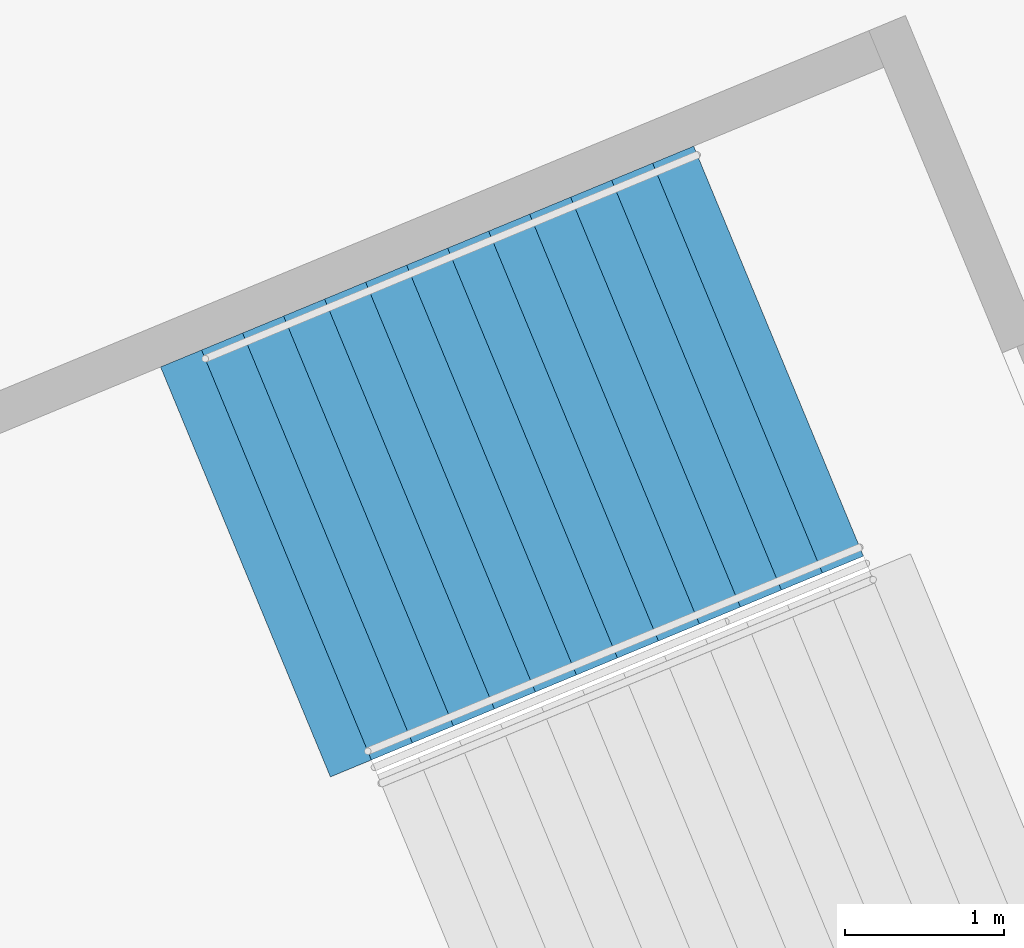
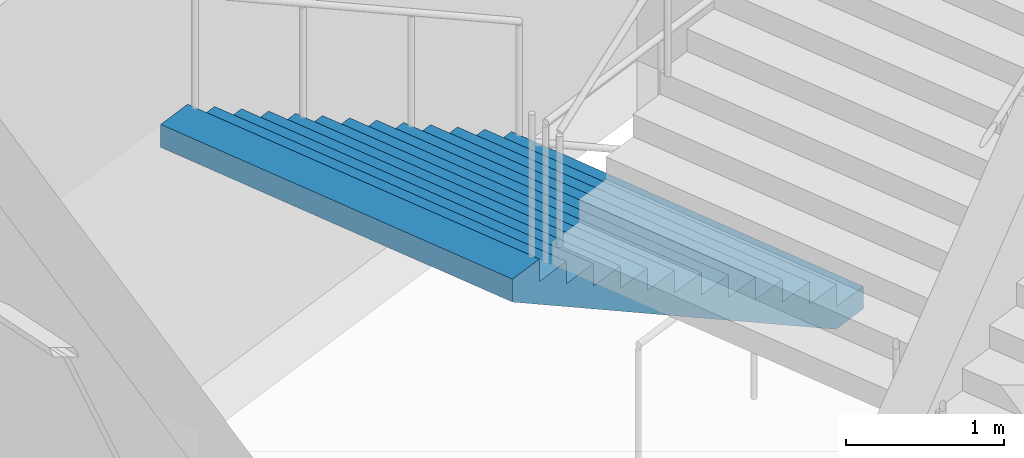
# One storey, part 110 of 199: 1 stair flight, 1 element without a shape of its own.
"""IFC4 building model written with IfcOpenShell, lengths in metres."""

from ifc_helpers import new_model, si_unit, direction, frame, origin, place, context, subcontext, project, spatial, faceted_brep, material, type_object, element, aggregate, save


model = new_model("IFC4")

# Units and contexts
model_context = context("Model", 3, precision=1e-05, world=origin(), true_north=direction((0.0, 1.0)))
body_context = subcontext(model_context, "Body", "Model", "MODEL_VIEW")
ifc_project = project(units=[si_unit("LENGTHUNIT", "METRE"), si_unit("AREAUNIT", "SQUARE_METRE"), si_unit("VOLUMEUNIT", "CUBIC_METRE"), si_unit("PLANEANGLEUNIT", "RADIAN"), si_unit("MASSUNIT", "GRAM", prefix="KILO")], contexts=[model_context])

# Site, building, storey
site_placement = place(None, origin())
site = spatial("IfcSite", under=ifc_project, at=site_placement, CompositionType="ELEMENT")
building_placement = place(site_placement, origin())
building = spatial("IfcBuilding", under=site, at=building_placement, Name="Ogive Plaza Stadium", CompositionType="ELEMENT")
storey_placement = place(building_placement, frame((0.0, 0.0, 9.0)))
storey = spatial("IfcBuildingStorey", under=building, at=storey_placement, Name="L02", CompositionType="ELEMENT", Elevation=9.0)

# Stair, stair flight
ifc_material_1 = material(Name="Concrete C40/50", Category="concrete")
stair_type = type_object("IfcStairType", Name="Exit stair", PredefinedType="STRAIGHT_RUN_STAIR", material=ifc_material_1)
stair_placement = place(storey_placement, origin())
stair = element("IfcStair", 1, at=stair_placement, inside=storey, type_object=stair_type, Name="Exit stair ST20A L02 to L03", PredefinedType="STRAIGHT_RUN_STAIR")
ifc_material_2 = material(Name="Concrete C40/50", Category="concrete")
stair_flight_type = type_object("IfcStairFlightType", Name="Exit stair flight", PredefinedType="STRAIGHT", material=ifc_material_2)
stair_flight_placement = place(storey_placement, frame((-74.819580078125, -64.618408203125, 0.0), z_axis=(0.0, 0.0, 1.0), x_axis=(-0.923879532511, -0.382683432365, 0.0)))
stair_flight = element("IfcStairFlight", 2, at=stair_flight_placement, type_object=stair_flight_type, Name="ST20A flight 1", NumberOfRisers=13, NumberOfTreads=12, PredefinedType="STRAIGHT", RiserHeight=0.173076923, TreadLength=0.28, context=body_context, shape_type="Brep", body=[
    faceted_brep([(0.28515625, -1.39990234375, 0.0), (3.639892578125, -1.39990234375, 2.07373046875), (3.639892578125, -1.39990234375, 2.25), (3.360107421875, -1.39990234375, 2.25), (3.360107421875, -1.39990234375, 2.076904296875), (3.080078125, -1.39990234375, 2.076904296875), (3.080078125, -1.39990234375, 1.90380859375), (2.800048828125, -1.39990234375, 1.90380859375), (2.800048828125, -1.39990234375, 1.730712890625), (2.52001953125, -1.39990234375, 1.730712890625), (2.52001953125, -1.39990234375, 1.5576171875), (2.239990234375, -1.39990234375, 1.5576171875), (2.239990234375, -1.39990234375, 1.384521484375), (1.9599609375, -1.39990234375, 1.384521484375), (1.9599609375, -1.39990234375, 1.21142578125), (1.679931640625, -1.39990234375, 1.21142578125), (1.679931640625, -1.39990234375, 1.03857421875), (1.39990234375, -1.39990234375, 1.03857421875), (1.39990234375, -1.39990234375, 0.865478515625), (1.1201171875, -1.39990234375, 0.865478515625), (1.1201171875, -1.39990234375, 0.6923828125), (0.840087890625, -1.39990234375, 0.6923828125), (0.840087890625, -1.39990234375, 0.519287109375), (0.56005859375, -1.39990234375, 0.519287109375), (0.56005859375, -1.39990234375, 0.34619140625), (0.280029296875, -1.39990234375, 0.34619140625), (0.280029296875, -1.39990234375, 0.173095703125), (0.0, -1.39990234375, 0.173095703125), (0.0, -1.39990234375, 0.0), (0.0, 1.39990234375, 0.0), (0.0, 1.39990234375, 0.173095703125), (0.280029296875, 1.39990234375, 0.173095703125), (0.280029296875, 1.39990234375, 0.34619140625), (0.56005859375, 1.39990234375, 0.34619140625), (0.56005859375, 1.39990234375, 0.519287109375), (0.840087890625, 1.39990234375, 0.519287109375), (0.840087890625, 1.39990234375, 0.6923828125), (1.1201171875, 1.39990234375, 0.6923828125), (1.1201171875, 1.39990234375, 0.865478515625), (1.39990234375, 1.39990234375, 0.865478515625), (1.39990234375, 1.39990234375, 1.03857421875), (1.679931640625, 1.39990234375, 1.03857421875), (1.679931640625, 1.39990234375, 1.21142578125), (1.9599609375, 1.39990234375, 1.21142578125), (1.9599609375, 1.39990234375, 1.384521484375), (2.239990234375, 1.39990234375, 1.384521484375), (2.239990234375, 1.39990234375, 1.5576171875), (2.52001953125, 1.39990234375, 1.5576171875), (2.52001953125, 1.39990234375, 1.730712890625), (2.800048828125, 1.39990234375, 1.730712890625), (2.800048828125, 1.39990234375, 1.90380859375), (3.080078125, 1.39990234375, 1.90380859375), (3.080078125, 1.39990234375, 2.076904296875), (3.360107421875, 1.39990234375, 2.076904296875), (3.360107421875, 1.39990234375, 2.25), (3.639892578125, 1.39990234375, 2.25), (3.639892578125, 1.39990234375, 2.07373046875), (0.28515625, 1.39990234375, 0.0), (0.28515625, -1.0888671875, 0.0), (3.639892578125, -1.0888671875, 2.07373046875), (0.28515625, -0.77783203125, 0.0), (3.639892578125, -0.77783203125, 2.07373046875), (0.28515625, -0.466796875, 0.0), (3.639892578125, -0.466796875, 2.07373046875), (0.28515625, -0.155517578125, 0.0), (3.639892578125, -0.155517578125, 2.07373046875), (0.28515625, 0.155517578125, 0.0), (3.639892578125, 0.155517578125, 2.07373046875), (0.28515625, 0.466796875, 0.0), (3.639892578125, 0.466796875, 2.07373046875), (0.28515625, 0.77783203125, 0.0), (3.639892578125, 0.77783203125, 2.07373046875), (0.28515625, 1.0888671875, 0.0), (3.639892578125, 1.0888671875, 2.07373046875), (3.639892578125, -1.0888671875, 2.25), (3.639892578125, -0.77783203125, 2.25), (3.639892578125, -0.466796875, 2.25), (3.639892578125, -0.155517578125, 2.25), (3.639892578125, 0.155517578125, 2.25), (3.639892578125, 0.466796875, 2.25), (3.639892578125, 0.77783203125, 2.25), (3.639892578125, 1.0888671875, 2.25), (3.360107421875, -1.0888671875, 2.25), (3.360107421875, -0.77783203125, 2.25), (3.360107421875, -0.466796875, 2.25), (3.360107421875, -0.155517578125, 2.25), (3.360107421875, 0.155517578125, 2.25), (3.360107421875, 0.466796875, 2.25), (3.360107421875, 0.77783203125, 2.25), (3.360107421875, 1.0888671875, 2.25), (3.360107421875, -1.0888671875, 2.076904296875), (3.360107421875, -0.77783203125, 2.076904296875), (3.360107421875, -0.466796875, 2.076904296875), (3.360107421875, -0.155517578125, 2.076904296875), (3.360107421875, 0.155517578125, 2.076904296875), (3.360107421875, 0.466796875, 2.076904296875), (3.360107421875, 0.77783203125, 2.076904296875), (3.360107421875, 1.0888671875, 2.076904296875), (3.080078125, -1.0888671875, 2.076904296875), (3.080078125, -0.77783203125, 2.076904296875), (3.080078125, -0.466796875, 2.076904296875), (3.080078125, -0.155517578125, 2.076904296875), (3.080078125, 0.155517578125, 2.076904296875), (3.080078125, 0.466796875, 2.076904296875), (3.080078125, 0.77783203125, 2.076904296875), (3.080078125, 1.0888671875, 2.076904296875), (3.080078125, -1.0888671875, 1.90380859375), (3.080078125, -0.77783203125, 1.90380859375), (3.080078125, -0.466796875, 1.90380859375), (3.080078125, -0.155517578125, 1.90380859375), (3.080078125, 0.155517578125, 1.90380859375), (3.080078125, 0.466796875, 1.90380859375), (3.080078125, 0.77783203125, 1.90380859375), (3.080078125, 1.0888671875, 1.90380859375), (2.800048828125, -1.0888671875, 1.90380859375), (2.800048828125, -0.77783203125, 1.90380859375), (2.800048828125, -0.466796875, 1.90380859375), (2.800048828125, -0.155517578125, 1.90380859375), (2.800048828125, 0.155517578125, 1.90380859375), (2.800048828125, 0.466796875, 1.90380859375), (2.800048828125, 0.77783203125, 1.90380859375), (2.800048828125, 1.0888671875, 1.90380859375), (2.800048828125, -1.0888671875, 1.730712890625), (2.800048828125, -0.77783203125, 1.730712890625), (2.800048828125, -0.466796875, 1.730712890625), (2.800048828125, -0.155517578125, 1.730712890625), (2.800048828125, 0.155517578125, 1.730712890625), (2.800048828125, 0.466796875, 1.730712890625), (2.800048828125, 0.77783203125, 1.730712890625), (2.800048828125, 1.0888671875, 1.730712890625), (2.52001953125, -1.0888671875, 1.730712890625), (2.52001953125, -0.77783203125, 1.730712890625), (2.52001953125, -0.466796875, 1.730712890625), (2.52001953125, -0.155517578125, 1.730712890625), (2.52001953125, 0.155517578125, 1.730712890625), (2.52001953125, 0.466796875, 1.730712890625), (2.52001953125, 0.77783203125, 1.730712890625), (2.52001953125, 1.0888671875, 1.730712890625), (2.52001953125, -1.0888671875, 1.5576171875), (2.52001953125, -0.77783203125, 1.5576171875), (2.52001953125, -0.466796875, 1.5576171875), (2.52001953125, -0.155517578125, 1.5576171875), (2.52001953125, 0.155517578125, 1.5576171875), (2.52001953125, 0.466796875, 1.5576171875), (2.52001953125, 0.77783203125, 1.5576171875), (2.52001953125, 1.0888671875, 1.5576171875), (2.239990234375, -1.0888671875, 1.5576171875), (2.239990234375, -0.77783203125, 1.5576171875), (2.239990234375, -0.466796875, 1.5576171875), (2.239990234375, -0.155517578125, 1.5576171875), (2.239990234375, 0.155517578125, 1.5576171875), (2.239990234375, 0.466796875, 1.5576171875), (2.239990234375, 0.77783203125, 1.5576171875), (2.239990234375, 1.0888671875, 1.5576171875), (2.239990234375, -1.0888671875, 1.384521484375), (2.239990234375, -0.77783203125, 1.384521484375), (2.239990234375, -0.466796875, 1.384521484375), (2.239990234375, -0.155517578125, 1.384521484375), (2.239990234375, 0.155517578125, 1.384521484375), (2.239990234375, 0.466796875, 1.384521484375), (2.239990234375, 0.77783203125, 1.384521484375), (2.239990234375, 1.0888671875, 1.384521484375), (1.9599609375, -1.0888671875, 1.384521484375), (1.9599609375, -0.77783203125, 1.384521484375), (1.9599609375, -0.466796875, 1.384521484375), (1.9599609375, -0.155517578125, 1.384521484375), (1.9599609375, 0.155517578125, 1.384521484375), (1.9599609375, 0.466796875, 1.384521484375), (1.9599609375, 0.77783203125, 1.384521484375), (1.9599609375, 1.0888671875, 1.384521484375), (1.9599609375, -1.0888671875, 1.21142578125), (1.9599609375, -0.77783203125, 1.21142578125), (1.9599609375, -0.466796875, 1.21142578125), (1.9599609375, -0.155517578125, 1.21142578125), (1.9599609375, 0.155517578125, 1.21142578125), (1.9599609375, 0.466796875, 1.21142578125), (1.9599609375, 0.77783203125, 1.21142578125), (1.9599609375, 1.0888671875, 1.21142578125), (1.679931640625, -1.0888671875, 1.21142578125), (1.679931640625, -0.77783203125, 1.21142578125), (1.679931640625, -0.466796875, 1.21142578125), (1.679931640625, -0.155517578125, 1.21142578125), (1.679931640625, 0.155517578125, 1.21142578125), (1.679931640625, 0.466796875, 1.21142578125), (1.679931640625, 0.77783203125, 1.21142578125), (1.679931640625, 1.0888671875, 1.21142578125), (1.679931640625, -1.0888671875, 1.03857421875), (1.679931640625, -0.77783203125, 1.03857421875), (1.679931640625, -0.466796875, 1.03857421875), (1.679931640625, -0.155517578125, 1.03857421875), (1.679931640625, 0.155517578125, 1.03857421875), (1.679931640625, 0.466796875, 1.03857421875), (1.679931640625, 0.77783203125, 1.03857421875), (1.679931640625, 1.0888671875, 1.03857421875), (1.39990234375, -1.0888671875, 1.03857421875), (1.39990234375, -0.77783203125, 1.03857421875), (1.39990234375, -0.466796875, 1.03857421875), (1.39990234375, -0.155517578125, 1.03857421875), (1.39990234375, 0.155517578125, 1.03857421875), (1.39990234375, 0.466796875, 1.03857421875), (1.39990234375, 0.77783203125, 1.03857421875), (1.39990234375, 1.0888671875, 1.03857421875), (1.39990234375, -1.0888671875, 0.865478515625), (1.39990234375, -0.77783203125, 0.865478515625), (1.39990234375, -0.466796875, 0.865478515625), (1.39990234375, -0.155517578125, 0.865478515625), (1.39990234375, 0.155517578125, 0.865478515625), (1.39990234375, 0.466796875, 0.865478515625), (1.39990234375, 0.77783203125, 0.865478515625), (1.39990234375, 1.0888671875, 0.865478515625), (1.1201171875, -1.0888671875, 0.865478515625), (1.1201171875, -0.77783203125, 0.865478515625), (1.1201171875, -0.466796875, 0.865478515625), (1.1201171875, -0.155517578125, 0.865478515625), (1.1201171875, 0.155517578125, 0.865478515625), (1.1201171875, 0.466796875, 0.865478515625), (1.1201171875, 0.77783203125, 0.865478515625), (1.1201171875, 1.0888671875, 0.865478515625), (1.1201171875, -1.0888671875, 0.6923828125), (1.1201171875, -0.77783203125, 0.6923828125), (1.1201171875, -0.466796875, 0.6923828125), (1.1201171875, -0.155517578125, 0.6923828125), (1.1201171875, 0.155517578125, 0.6923828125), (1.1201171875, 0.466796875, 0.6923828125), (1.1201171875, 0.77783203125, 0.6923828125), (1.1201171875, 1.0888671875, 0.6923828125), (0.840087890625, -1.0888671875, 0.6923828125), (0.840087890625, -0.77783203125, 0.6923828125), (0.840087890625, -0.466796875, 0.6923828125), (0.840087890625, -0.155517578125, 0.6923828125), (0.840087890625, 0.155517578125, 0.6923828125), (0.840087890625, 0.466796875, 0.6923828125), (0.840087890625, 0.77783203125, 0.6923828125), (0.840087890625, 1.0888671875, 0.6923828125), (0.840087890625, -1.0888671875, 0.519287109375), (0.840087890625, -0.77783203125, 0.519287109375), (0.840087890625, -0.466796875, 0.519287109375), (0.840087890625, -0.155517578125, 0.519287109375), (0.840087890625, 0.155517578125, 0.519287109375), (0.840087890625, 0.466796875, 0.519287109375), (0.840087890625, 0.77783203125, 0.519287109375), (0.840087890625, 1.0888671875, 0.519287109375), (0.56005859375, -1.0888671875, 0.519287109375), (0.56005859375, -0.77783203125, 0.519287109375), (0.56005859375, -0.466796875, 0.519287109375), (0.56005859375, -0.155517578125, 0.519287109375), (0.56005859375, 0.155517578125, 0.519287109375), (0.56005859375, 0.466796875, 0.519287109375), (0.56005859375, 0.77783203125, 0.519287109375), (0.56005859375, 1.0888671875, 0.519287109375), (0.56005859375, -1.0888671875, 0.34619140625), (0.56005859375, -0.77783203125, 0.34619140625), (0.56005859375, -0.466796875, 0.34619140625), (0.56005859375, -0.155517578125, 0.34619140625), (0.56005859375, 0.155517578125, 0.34619140625), (0.56005859375, 0.466796875, 0.34619140625), (0.56005859375, 0.77783203125, 0.34619140625), (0.56005859375, 1.0888671875, 0.34619140625), (0.280029296875, -1.0888671875, 0.34619140625), (0.280029296875, -0.77783203125, 0.34619140625), (0.280029296875, -0.466796875, 0.34619140625), (0.280029296875, -0.155517578125, 0.34619140625), (0.280029296875, 0.155517578125, 0.34619140625), (0.280029296875, 0.466796875, 0.34619140625), (0.280029296875, 0.77783203125, 0.34619140625), (0.280029296875, 1.0888671875, 0.34619140625), (0.280029296875, -1.0888671875, 0.173095703125), (0.280029296875, -0.77783203125, 0.173095703125), (0.280029296875, -0.466796875, 0.173095703125), (0.280029296875, -0.155517578125, 0.173095703125), (0.280029296875, 0.155517578125, 0.173095703125), (0.280029296875, 0.466796875, 0.173095703125), (0.280029296875, 0.77783203125, 0.173095703125), (0.280029296875, 1.0888671875, 0.173095703125), (0.0, -1.0888671875, 0.173095703125), (0.0, -0.77783203125, 0.173095703125), (0.0, -0.466796875, 0.173095703125), (0.0, -0.155517578125, 0.173095703125), (0.0, 0.155517578125, 0.173095703125), (0.0, 0.466796875, 0.173095703125), (0.0, 0.77783203125, 0.173095703125), (0.0, 1.0888671875, 0.173095703125), (0.0, -1.0888671875, 0.0), (0.0, -0.77783203125, 0.0), (0.0, -0.466796875, 0.0), (0.0, -0.155517578125, 0.0), (0.0, 0.155517578125, 0.0), (0.0, 0.466796875, 0.0), (0.0, 0.77783203125, 0.0), (0.0, 1.0888671875, 0.0)], [[[0, 1, 2, 3, 4, 5, 6, 7, 8, 9, 10, 11, 12, 13, 14, 15, 16, 17, 18, 19, 20, 21, 22, 23, 24, 25, 26, 27, 28]], [[29, 30, 31, 32, 33, 34, 35, 36, 37, 38, 39, 40, 41, 42, 43, 44, 45, 46, 47, 48, 49, 50, 51, 52, 53, 54, 55, 56, 57]], [[0, 58, 59, 1]], [[58, 60, 61, 59]], [[60, 62, 63, 61]], [[62, 64, 65, 63]], [[64, 66, 67, 65]], [[66, 68, 69, 67]], [[68, 70, 71, 69]], [[70, 72, 73, 71]], [[72, 57, 56, 73]], [[1, 59, 74, 2]], [[59, 61, 75, 74]], [[61, 63, 76, 75]], [[63, 65, 77, 76]], [[65, 67, 78, 77]], [[67, 69, 79, 78]], [[69, 71, 80, 79]], [[71, 73, 81, 80]], [[73, 56, 55, 81]], [[2, 74, 82, 3]], [[74, 75, 83, 82]], [[75, 76, 84, 83]], [[76, 77, 85, 84]], [[77, 78, 86, 85]], [[78, 79, 87, 86]], [[79, 80, 88, 87]], [[80, 81, 89, 88]], [[81, 55, 54, 89]], [[3, 82, 90, 4]], [[82, 83, 91, 90]], [[83, 84, 92, 91]], [[84, 85, 93, 92]], [[85, 86, 94, 93]], [[86, 87, 95, 94]], [[87, 88, 96, 95]], [[88, 89, 97, 96]], [[89, 54, 53, 97]], [[4, 90, 98, 5]], [[90, 91, 99, 98]], [[91, 92, 100, 99]], [[92, 93, 101, 100]], [[93, 94, 102, 101]], [[94, 95, 103, 102]], [[95, 96, 104, 103]], [[96, 97, 105, 104]], [[97, 53, 52, 105]], [[5, 98, 106, 6]], [[98, 99, 107, 106]], [[99, 100, 108, 107]], [[100, 101, 109, 108]], [[101, 102, 110, 109]], [[102, 103, 111, 110]], [[103, 104, 112, 111]], [[104, 105, 113, 112]], [[105, 52, 51, 113]], [[6, 106, 114, 7]], [[106, 107, 115, 114]], [[107, 108, 116, 115]], [[108, 109, 117, 116]], [[109, 110, 118, 117]], [[110, 111, 119, 118]], [[111, 112, 120, 119]], [[112, 113, 121, 120]], [[113, 51, 50, 121]], [[7, 114, 122, 8]], [[114, 115, 123, 122]], [[115, 116, 124, 123]], [[116, 117, 125, 124]], [[117, 118, 126, 125]], [[118, 119, 127, 126]], [[119, 120, 128, 127]], [[120, 121, 129, 128]], [[121, 50, 49, 129]], [[8, 122, 130, 9]], [[122, 123, 131, 130]], [[123, 124, 132, 131]], [[124, 125, 133, 132]], [[125, 126, 134, 133]], [[126, 127, 135, 134]], [[127, 128, 136, 135]], [[128, 129, 137, 136]], [[129, 49, 48, 137]], [[9, 130, 138, 10]], [[130, 131, 139, 138]], [[131, 132, 140, 139]], [[132, 133, 141, 140]], [[133, 134, 142, 141]], [[134, 135, 143, 142]], [[135, 136, 144, 143]], [[136, 137, 145, 144]], [[137, 48, 47, 145]], [[10, 138, 146, 11]], [[138, 139, 147, 146]], [[139, 140, 148, 147]], [[140, 141, 149, 148]], [[141, 142, 150, 149]], [[142, 143, 151, 150]], [[143, 144, 152, 151]], [[144, 145, 153, 152]], [[145, 47, 46, 153]], [[11, 146, 154, 12]], [[146, 147, 155, 154]], [[147, 148, 156, 155]], [[148, 149, 157, 156]], [[149, 150, 158, 157]], [[150, 151, 159, 158]], [[151, 152, 160, 159]], [[152, 153, 161, 160]], [[153, 46, 45, 161]], [[12, 154, 162, 13]], [[154, 155, 163, 162]], [[155, 156, 164, 163]], [[156, 157, 165, 164]], [[157, 158, 166, 165]], [[158, 159, 167, 166]], [[159, 160, 168, 167]], [[160, 161, 169, 168]], [[161, 45, 44, 169]], [[13, 162, 170, 14]], [[162, 163, 171, 170]], [[163, 164, 172, 171]], [[164, 165, 173, 172]], [[165, 166, 174, 173]], [[166, 167, 175, 174]], [[167, 168, 176, 175]], [[168, 169, 177, 176]], [[169, 44, 43, 177]], [[14, 170, 178, 15]], [[170, 171, 179, 178]], [[171, 172, 180, 179]], [[172, 173, 181, 180]], [[173, 174, 182, 181]], [[174, 175, 183, 182]], [[175, 176, 184, 183]], [[176, 177, 185, 184]], [[177, 43, 42, 185]], [[15, 178, 186, 16]], [[178, 179, 187, 186]], [[179, 180, 188, 187]], [[180, 181, 189, 188]], [[181, 182, 190, 189]], [[182, 183, 191, 190]], [[183, 184, 192, 191]], [[184, 185, 193, 192]], [[185, 42, 41, 193]], [[16, 186, 194, 17]], [[186, 187, 195, 194]], [[187, 188, 196, 195]], [[188, 189, 197, 196]], [[189, 190, 198, 197]], [[190, 191, 199, 198]], [[191, 192, 200, 199]], [[192, 193, 201, 200]], [[193, 41, 40, 201]], [[17, 194, 202, 18]], [[194, 195, 203, 202]], [[195, 196, 204, 203]], [[196, 197, 205, 204]], [[197, 198, 206, 205]], [[198, 199, 207, 206]], [[199, 200, 208, 207]], [[200, 201, 209, 208]], [[201, 40, 39, 209]], [[18, 202, 210, 19]], [[202, 203, 211, 210]], [[203, 204, 212, 211]], [[204, 205, 213, 212]], [[205, 206, 214, 213]], [[206, 207, 215, 214]], [[207, 208, 216, 215]], [[208, 209, 217, 216]], [[209, 39, 38, 217]], [[19, 210, 218, 20]], [[210, 211, 219, 218]], [[211, 212, 220, 219]], [[212, 213, 221, 220]], [[213, 214, 222, 221]], [[214, 215, 223, 222]], [[215, 216, 224, 223]], [[216, 217, 225, 224]], [[217, 38, 37, 225]], [[20, 218, 226, 21]], [[218, 219, 227, 226]], [[219, 220, 228, 227]], [[220, 221, 229, 228]], [[221, 222, 230, 229]], [[222, 223, 231, 230]], [[223, 224, 232, 231]], [[224, 225, 233, 232]], [[225, 37, 36, 233]], [[21, 226, 234, 22]], [[226, 227, 235, 234]], [[227, 228, 236, 235]], [[228, 229, 237, 236]], [[229, 230, 238, 237]], [[230, 231, 239, 238]], [[231, 232, 240, 239]], [[232, 233, 241, 240]], [[233, 36, 35, 241]], [[22, 234, 242, 23]], [[234, 235, 243, 242]], [[235, 236, 244, 243]], [[236, 237, 245, 244]], [[237, 238, 246, 245]], [[238, 239, 247, 246]], [[239, 240, 248, 247]], [[240, 241, 249, 248]], [[241, 35, 34, 249]], [[23, 242, 250, 24]], [[242, 243, 251, 250]], [[243, 244, 252, 251]], [[244, 245, 253, 252]], [[245, 246, 254, 253]], [[246, 247, 255, 254]], [[247, 248, 256, 255]], [[248, 249, 257, 256]], [[249, 34, 33, 257]], [[24, 250, 258, 25]], [[250, 251, 259, 258]], [[251, 252, 260, 259]], [[252, 253, 261, 260]], [[253, 254, 262, 261]], [[254, 255, 263, 262]], [[255, 256, 264, 263]], [[256, 257, 265, 264]], [[257, 33, 32, 265]], [[25, 258, 266, 26]], [[258, 259, 267, 266]], [[259, 260, 268, 267]], [[260, 261, 269, 268]], [[261, 262, 270, 269]], [[262, 263, 271, 270]], [[263, 264, 272, 271]], [[264, 265, 273, 272]], [[265, 32, 31, 273]], [[26, 266, 274, 27]], [[266, 267, 275, 274]], [[267, 268, 276, 275]], [[268, 269, 277, 276]], [[269, 270, 278, 277]], [[270, 271, 279, 278]], [[271, 272, 280, 279]], [[272, 273, 281, 280]], [[273, 31, 30, 281]], [[27, 274, 282, 28]], [[274, 275, 283, 282]], [[275, 276, 284, 283]], [[276, 277, 285, 284]], [[277, 278, 286, 285]], [[278, 279, 287, 286]], [[279, 280, 288, 287]], [[280, 281, 289, 288]], [[281, 30, 29, 289]], [[28, 282, 58, 0]], [[282, 283, 60, 58]], [[283, 284, 62, 60]], [[284, 285, 64, 62]], [[285, 286, 66, 64]], [[286, 287, 68, 66]], [[287, 288, 70, 68]], [[288, 289, 72, 70]], [[289, 29, 57, 72]]]),
])
aggregate(stair, [stair_flight])

save(model, "model.ifc")
